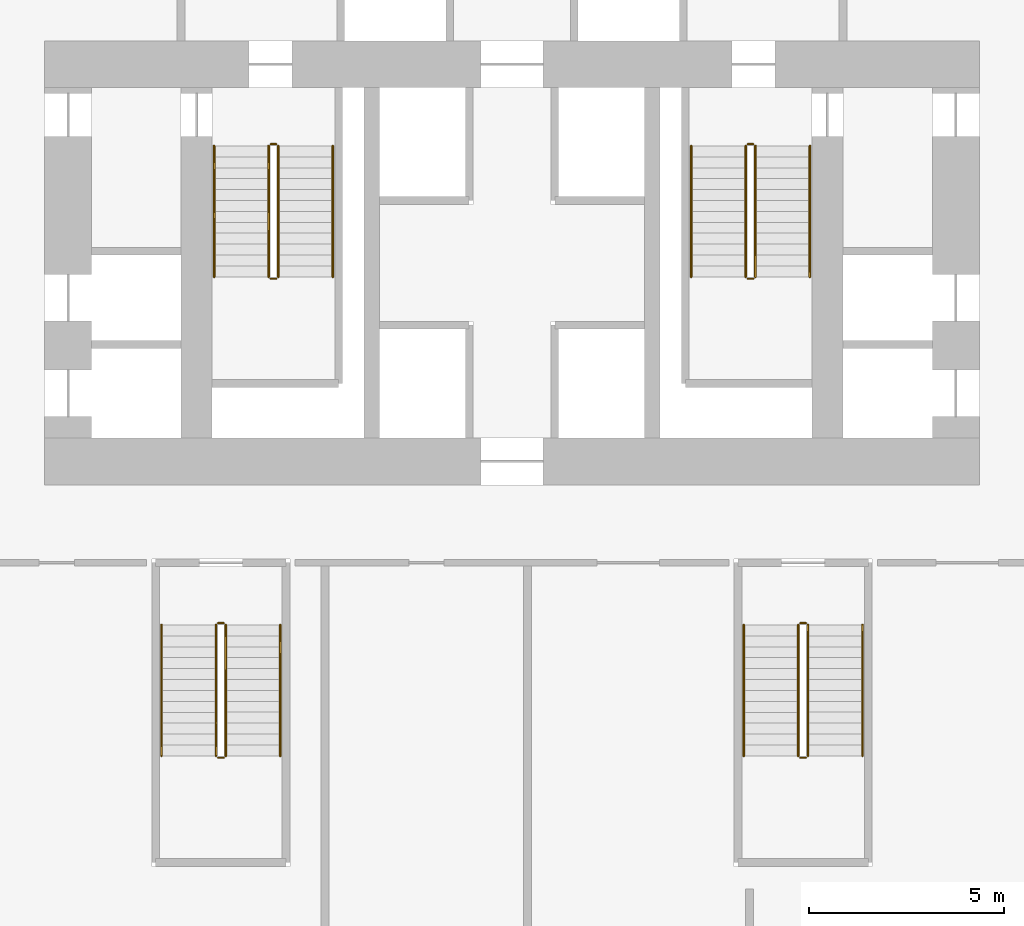
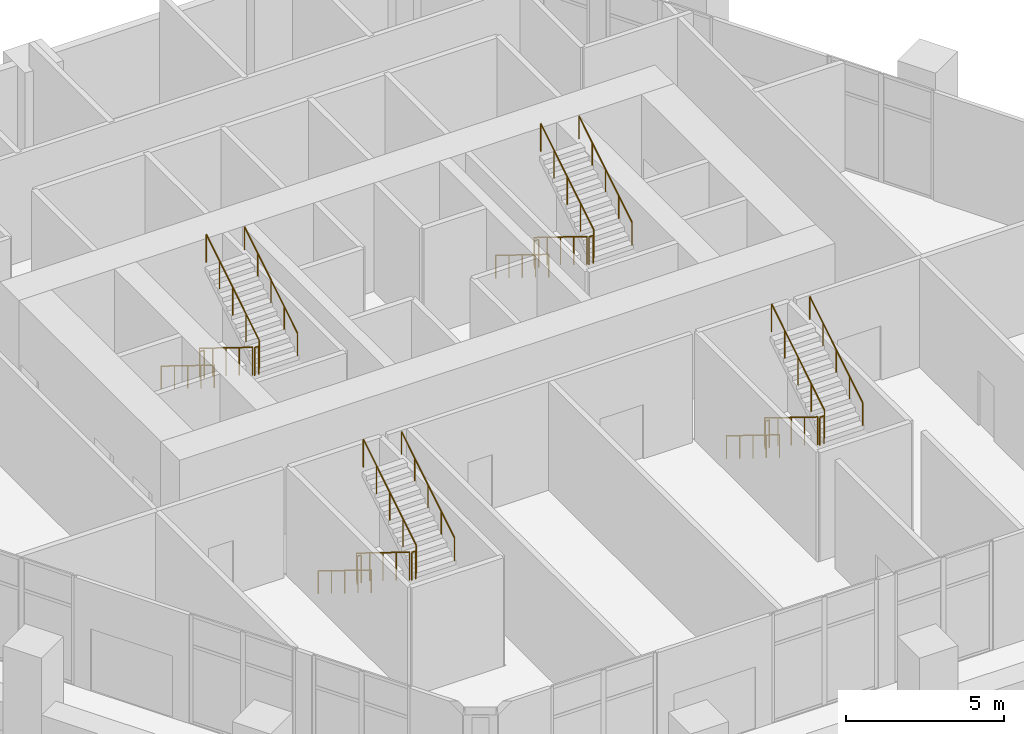
# One storey, part 18 of 18: 24 railings.
"""IFC4 building model written with IfcOpenShell, lengths in metres."""

from ifc_helpers import new_model, si_unit, direction, frame, origin, origin_2d, place, context, subcontext, project, spatial, circle, extrude, material, type_object, element, save


model = new_model("IFC4")

# Units and contexts
model_context = context("Model", 3, precision=1e-05, world=origin(), true_north=direction((0.0, 1.0)))
body_context = subcontext(model_context, "Body", "Model", "MODEL_VIEW")
ifc_project = project(units=[si_unit("LENGTHUNIT", "METRE"), si_unit("AREAUNIT", "SQUARE_METRE"), si_unit("VOLUMEUNIT", "CUBIC_METRE"), si_unit("PLANEANGLEUNIT", "RADIAN"), si_unit("MASSUNIT", "GRAM", prefix="KILO")], contexts=[model_context])

# Site, building, storey
site_placement = place(None, origin())
site = spatial("IfcSite", under=ifc_project, at=site_placement, CompositionType="ELEMENT")
building_placement = place(site_placement, origin())
building = spatial("IfcBuilding", under=site, at=building_placement, Name="Ostrander Bayou Hotel Tower", CompositionType="ELEMENT")
storey_placement = place(building_placement, frame((0.0, 0.0, 19.0)))
storey = spatial("IfcBuildingStorey", under=building, at=storey_placement, Name="L04", CompositionType="ELEMENT", Elevation=19.0)

# Railings
ifc_material_1 = material(Name="Steel ASTM A500 Gr C", Category="steel")
railing_type_1 = type_object("IfcRailingType", Name="GR1 stair guard 1100 mm steel", PredefinedType="GUARDRAIL", material=ifc_material_1)
railing_1_placement = place(storey_placement, frame((-6.25, 7.0, 0.173095703125)))
element("IfcRailing", 1, at=railing_1_placement, inside=storey, type_object=railing_type_1, Name="L04 STA stair guard 1", PredefinedType="GUARDRAIL", context=body_context, shape_type="SweptSolid", body=[
    extrude(circle(Radius=0.02392578125, at=origin_2d()), frame((0.0, 0.0, 1.076171875), z_axis=(0.0, -0.850623216509, 0.525775754039), x_axis=(1.0, 0.0, 0.0)), (0.0, 0.0, 1.0), 3.9501953125),
    extrude(circle(Radius=0.02099609375, at=origin_2d()), origin(), (0.0, 0.0, 1.0), 1.052001953125),
    extrude(circle(Radius=0.02099609375, at=origin_2d()), frame((0.0, -0.840087890625, 0.519287109375)), (0.0, 0.0, 1.0), 1.052001953125),
    extrude(circle(Radius=0.02099609375, at=origin_2d()), frame((0.0, -1.68017578125, 1.03857421875)), (0.0, 0.0, 1.0), 1.052001953125),
    extrude(circle(Radius=0.02099609375, at=origin_2d()), frame((0.0, -2.52001953125, 1.5576171875)), (0.0, 0.0, 1.0), 1.052001953125),
    extrude(circle(Radius=0.02099609375, at=origin_2d()), frame((0.0, -3.360107421875, 2.076904296875)), (0.0, 0.0, 1.0), 1.052001953125),
])
railing_2_placement = place(storey_placement, frame((-6.199951171875, 3.590087890625, 2.25)))
element("IfcRailing", 2, at=railing_2_placement, inside=storey, type_object=railing_type_1, Name="L04 STA stair guard 2", PredefinedType="GUARDRAIL", context=body_context, shape_type="SweptSolid", body=[
    extrude(circle(Radius=0.02392578125, at=origin_2d()), frame((0.0, 0.0, 1.076171875), z_axis=(1.0, 0.0, 0.0), x_axis=(0.0, 1.0, 0.0)), (0.0, 0.0, 1.0), 0.14990234375),
    extrude(circle(Radius=0.02099609375, at=origin_2d()), origin(), (0.0, 0.0, 1.0), 1.052001953125),
    extrude(circle(Radius=0.02099609375, at=origin_2d()), frame((0.14990234375, 0.0, 0.0)), (0.0, 0.0, 1.0), 1.052001953125),
])
railing_3_placement = place(storey_placement, frame((-6.0, 3.639892578125, 2.423095703125)))
element("IfcRailing", 3, at=railing_3_placement, inside=storey, type_object=railing_type_1, Name="L04 STA stair guard 3", PredefinedType="GUARDRAIL", context=body_context, shape_type="SweptSolid", body=[
    extrude(circle(Radius=0.02392578125, at=origin_2d()), frame((0.0, 0.0, 1.076171875), z_axis=(0.0, 0.850623216509, 0.525775754039), x_axis=(-1.0, 0.0, 0.0)), (0.0, 0.0, 1.0), 3.9501953125),
    extrude(circle(Radius=0.02099609375, at=origin_2d()), origin(), (0.0, 0.0, 1.0), 1.052001953125),
    extrude(circle(Radius=0.02099609375, at=origin_2d()), frame((0.0, 0.840087890625, 0.519287109375)), (0.0, 0.0, 1.0), 1.052001953125),
    extrude(circle(Radius=0.02099609375, at=origin_2d()), frame((0.0, 1.68017578125, 1.03857421875)), (0.0, 0.0, 1.0), 1.052001953125),
    extrude(circle(Radius=0.02099609375, at=origin_2d()), frame((0.0, 2.52001953125, 1.5576171875)), (0.0, 0.0, 1.0), 1.052001953125),
    extrude(circle(Radius=0.02099609375, at=origin_2d()), frame((0.0, 3.360107421875, 2.076904296875)), (0.0, 0.0, 1.0), 1.052001953125),
])
railing_4_placement = place(storey_placement, frame((-6.199951171875, 7.050048828125, 0.0)))
element("IfcRailing", 4, at=railing_4_placement, inside=storey, type_object=railing_type_1, Name="L04 STA stair guard 4", PredefinedType="GUARDRAIL", context=body_context, shape_type="SweptSolid", body=[
    extrude(circle(Radius=0.02392578125, at=origin_2d()), frame((0.0, 0.0, 1.076171875), z_axis=(1.0, 0.0, 0.0), x_axis=(0.0, 1.0, 0.0)), (0.0, 0.0, 1.0), 0.14990234375),
    extrude(circle(Radius=0.02099609375, at=origin_2d()), origin(), (0.0, 0.0, 1.0), 1.052001953125),
    extrude(circle(Radius=0.02099609375, at=origin_2d()), frame((0.14990234375, 0.0, 0.0)), (0.0, 0.0, 1.0), 1.052001953125),
])
railing_5_placement = place(storey_placement, frame((6.0, 7.0, 0.173095703125)))
element("IfcRailing", 5, at=railing_5_placement, inside=storey, type_object=railing_type_1, Name="L04 STB stair guard 1", PredefinedType="GUARDRAIL", context=body_context, shape_type="SweptSolid", body=[
    extrude(circle(Radius=0.02392578125, at=origin_2d()), frame((0.0, 0.0, 1.076171875), z_axis=(0.0, -0.850623216509, 0.525775754039), x_axis=(1.0, 0.0, 0.0)), (0.0, 0.0, 1.0), 3.9501953125),
    extrude(circle(Radius=0.02099609375, at=origin_2d()), origin(), (0.0, 0.0, 1.0), 1.052001953125),
    extrude(circle(Radius=0.02099609375, at=origin_2d()), frame((0.0, -0.840087890625, 0.519287109375)), (0.0, 0.0, 1.0), 1.052001953125),
    extrude(circle(Radius=0.02099609375, at=origin_2d()), frame((0.0, -1.68017578125, 1.03857421875)), (0.0, 0.0, 1.0), 1.052001953125),
    extrude(circle(Radius=0.02099609375, at=origin_2d()), frame((0.0, -2.52001953125, 1.5576171875)), (0.0, 0.0, 1.0), 1.052001953125),
    extrude(circle(Radius=0.02099609375, at=origin_2d()), frame((0.0, -3.360107421875, 2.076904296875)), (0.0, 0.0, 1.0), 1.052001953125),
])
railing_6_placement = place(storey_placement, frame((6.050048828125, 3.590087890625, 2.25)))
element("IfcRailing", 6, at=railing_6_placement, inside=storey, type_object=railing_type_1, Name="L04 STB stair guard 2", PredefinedType="GUARDRAIL", context=body_context, shape_type="SweptSolid", body=[
    extrude(circle(Radius=0.02392578125, at=origin_2d()), frame((0.0, 0.0, 1.076171875), z_axis=(1.0, 0.0, 0.0), x_axis=(0.0, 1.0, 0.0)), (0.0, 0.0, 1.0), 0.14990234375),
    extrude(circle(Radius=0.02099609375, at=origin_2d()), origin(), (0.0, 0.0, 1.0), 1.052001953125),
    extrude(circle(Radius=0.02099609375, at=origin_2d()), frame((0.14990234375, 0.0, 0.0)), (0.0, 0.0, 1.0), 1.052001953125),
])
railing_7_placement = place(storey_placement, frame((6.25, 3.639892578125, 2.423095703125)))
element("IfcRailing", 7, at=railing_7_placement, inside=storey, type_object=railing_type_1, Name="L04 STB stair guard 3", PredefinedType="GUARDRAIL", context=body_context, shape_type="SweptSolid", body=[
    extrude(circle(Radius=0.02392578125, at=origin_2d()), frame((0.0, 0.0, 1.076171875), z_axis=(0.0, 0.850623216509, 0.525775754039), x_axis=(-1.0, 0.0, 0.0)), (0.0, 0.0, 1.0), 3.9501953125),
    extrude(circle(Radius=0.02099609375, at=origin_2d()), origin(), (0.0, 0.0, 1.0), 1.052001953125),
    extrude(circle(Radius=0.02099609375, at=origin_2d()), frame((0.0, 0.840087890625, 0.519287109375)), (0.0, 0.0, 1.0), 1.052001953125),
    extrude(circle(Radius=0.02099609375, at=origin_2d()), frame((0.0, 1.68017578125, 1.03857421875)), (0.0, 0.0, 1.0), 1.052001953125),
    extrude(circle(Radius=0.02099609375, at=origin_2d()), frame((0.0, 2.52001953125, 1.5576171875)), (0.0, 0.0, 1.0), 1.052001953125),
    extrude(circle(Radius=0.02099609375, at=origin_2d()), frame((0.0, 3.360107421875, 2.076904296875)), (0.0, 0.0, 1.0), 1.052001953125),
])
railing_8_placement = place(storey_placement, frame((6.050048828125, 7.050048828125, 0.0)))
element("IfcRailing", 8, at=railing_8_placement, inside=storey, type_object=railing_type_1, Name="L04 STB stair guard 4", PredefinedType="GUARDRAIL", context=body_context, shape_type="SweptSolid", body=[
    extrude(circle(Radius=0.02392578125, at=origin_2d()), frame((0.0, 0.0, 1.076171875), z_axis=(1.0, 0.0, 0.0), x_axis=(0.0, 1.0, 0.0)), (0.0, 0.0, 1.0), 0.14990234375),
    extrude(circle(Radius=0.02099609375, at=origin_2d()), origin(), (0.0, 0.0, 1.0), 1.052001953125),
    extrude(circle(Radius=0.02099609375, at=origin_2d()), frame((0.14990234375, 0.0, 0.0)), (0.0, 0.0, 1.0), 1.052001953125),
])
railing_9_placement = place(storey_placement, frame((7.35009765625, -5.300048828125, 0.173095703125)))
element("IfcRailing", 9, at=railing_9_placement, inside=storey, type_object=railing_type_1, Name="L04 STC stair guard 1", PredefinedType="GUARDRAIL", context=body_context, shape_type="SweptSolid", body=[
    extrude(circle(Radius=0.02392578125, at=origin_2d()), frame((0.0, 0.0, 1.076171875), z_axis=(0.0, -0.850606129759, 0.525803396734), x_axis=(1.0, 0.0, 0.0)), (0.0, 0.0, 1.0), 3.949951171875),
    extrude(circle(Radius=0.02099609375, at=origin_2d()), origin(), (0.0, 0.0, 1.0), 1.052001953125),
    extrude(circle(Radius=0.02099609375, at=origin_2d()), frame((0.0, -0.83984375, 0.519287109375)), (0.0, 0.0, 1.0), 1.052001953125),
    extrude(circle(Radius=0.02099609375, at=origin_2d()), frame((0.0, -1.679931640625, 1.03857421875)), (0.0, 0.0, 1.0), 1.052001953125),
    extrude(circle(Radius=0.02099609375, at=origin_2d()), frame((0.0, -2.52001953125, 1.5576171875)), (0.0, 0.0, 1.0), 1.052001953125),
    extrude(circle(Radius=0.02099609375, at=origin_2d()), frame((0.0, -3.35986328125, 2.076904296875)), (0.0, 0.0, 1.0), 1.052001953125),
])
railing_10_placement = place(storey_placement, frame((7.39990234375, -8.7099609375, 2.25)))
element("IfcRailing", 10, at=railing_10_placement, inside=storey, type_object=railing_type_1, Name="L04 STC stair guard 2", PredefinedType="GUARDRAIL", context=body_context, shape_type="SweptSolid", body=[
    extrude(circle(Radius=0.02392578125, at=origin_2d()), frame((0.0, 0.0, 1.076171875), z_axis=(1.0, 0.0, 0.0), x_axis=(0.0, 1.0, 0.0)), (0.0, 0.0, 1.0), 0.150146484375),
    extrude(circle(Radius=0.02099609375, at=origin_2d()), origin(), (0.0, 0.0, 1.0), 1.052001953125),
    extrude(circle(Radius=0.02099609375, at=origin_2d()), frame((0.150146484375, 0.0, 0.0)), (0.0, 0.0, 1.0), 1.052001953125),
])
railing_11_placement = place(storey_placement, frame((7.60009765625, -8.659912109375, 2.423095703125)))
element("IfcRailing", 11, at=railing_11_placement, inside=storey, type_object=railing_type_1, Name="L04 STC stair guard 3", PredefinedType="GUARDRAIL", context=body_context, shape_type="SweptSolid", body=[
    extrude(circle(Radius=0.02392578125, at=origin_2d()), frame((0.0, 0.0, 1.076171875), z_axis=(0.0, 0.850606129759, 0.525803396734), x_axis=(-1.0, 0.0, 0.0)), (0.0, 0.0, 1.0), 3.949951171875),
    extrude(circle(Radius=0.02099609375, at=origin_2d()), origin(), (0.0, 0.0, 1.0), 1.052001953125),
    extrude(circle(Radius=0.02099609375, at=origin_2d()), frame((0.0, 0.83984375, 0.519287109375)), (0.0, 0.0, 1.0), 1.052001953125),
    extrude(circle(Radius=0.02099609375, at=origin_2d()), frame((0.0, 1.679931640625, 1.03857421875)), (0.0, 0.0, 1.0), 1.052001953125),
    extrude(circle(Radius=0.02099609375, at=origin_2d()), frame((0.0, 2.52001953125, 1.5576171875)), (0.0, 0.0, 1.0), 1.052001953125),
    extrude(circle(Radius=0.02099609375, at=origin_2d()), frame((0.0, 3.35986328125, 2.076904296875)), (0.0, 0.0, 1.0), 1.052001953125),
])
railing_12_placement = place(storey_placement, frame((7.39990234375, -5.25, 0.0)))
element("IfcRailing", 12, at=railing_12_placement, inside=storey, type_object=railing_type_1, Name="L04 STC stair guard 4", PredefinedType="GUARDRAIL", context=body_context, shape_type="SweptSolid", body=[
    extrude(circle(Radius=0.02392578125, at=origin_2d()), frame((0.0, 0.0, 1.076171875), z_axis=(1.0, 0.0, 0.0), x_axis=(0.0, 1.0, 0.0)), (0.0, 0.0, 1.0), 0.150146484375),
    extrude(circle(Radius=0.02099609375, at=origin_2d()), origin(), (0.0, 0.0, 1.0), 1.052001953125),
    extrude(circle(Radius=0.02099609375, at=origin_2d()), frame((0.150146484375, 0.0, 0.0)), (0.0, 0.0, 1.0), 1.052001953125),
])
railing_13_placement = place(storey_placement, frame((-7.60009765625, -5.300048828125, 0.173095703125)))
element("IfcRailing", 13, at=railing_13_placement, inside=storey, type_object=railing_type_1, Name="L04 STD stair guard 1", PredefinedType="GUARDRAIL", context=body_context, shape_type="SweptSolid", body=[
    extrude(circle(Radius=0.02392578125, at=origin_2d()), frame((0.0, 0.0, 1.076171875), z_axis=(0.0, -0.850606129759, 0.525803396734), x_axis=(1.0, 0.0, 0.0)), (0.0, 0.0, 1.0), 3.949951171875),
    extrude(circle(Radius=0.02099609375, at=origin_2d()), origin(), (0.0, 0.0, 1.0), 1.052001953125),
    extrude(circle(Radius=0.02099609375, at=origin_2d()), frame((0.0, -0.83984375, 0.519287109375)), (0.0, 0.0, 1.0), 1.052001953125),
    extrude(circle(Radius=0.02099609375, at=origin_2d()), frame((0.0, -1.679931640625, 1.03857421875)), (0.0, 0.0, 1.0), 1.052001953125),
    extrude(circle(Radius=0.02099609375, at=origin_2d()), frame((0.0, -2.52001953125, 1.5576171875)), (0.0, 0.0, 1.0), 1.052001953125),
    extrude(circle(Radius=0.02099609375, at=origin_2d()), frame((0.0, -3.35986328125, 2.076904296875)), (0.0, 0.0, 1.0), 1.052001953125),
])
railing_14_placement = place(storey_placement, frame((-7.550048828125, -8.7099609375, 2.25)))
element("IfcRailing", 14, at=railing_14_placement, inside=storey, type_object=railing_type_1, Name="L04 STD stair guard 2", PredefinedType="GUARDRAIL", context=body_context, shape_type="SweptSolid", body=[
    extrude(circle(Radius=0.02392578125, at=origin_2d()), frame((0.0, 0.0, 1.076171875), z_axis=(1.0, 0.0, 0.0), x_axis=(0.0, 1.0, 0.0)), (0.0, 0.0, 1.0), 0.150146484375),
    extrude(circle(Radius=0.02099609375, at=origin_2d()), origin(), (0.0, 0.0, 1.0), 1.052001953125),
    extrude(circle(Radius=0.02099609375, at=origin_2d()), frame((0.150146484375, 0.0, 0.0)), (0.0, 0.0, 1.0), 1.052001953125),
])
railing_15_placement = place(storey_placement, frame((-7.35009765625, -8.659912109375, 2.423095703125)))
element("IfcRailing", 15, at=railing_15_placement, inside=storey, type_object=railing_type_1, Name="L04 STD stair guard 3", PredefinedType="GUARDRAIL", context=body_context, shape_type="SweptSolid", body=[
    extrude(circle(Radius=0.02392578125, at=origin_2d()), frame((0.0, 0.0, 1.076171875), z_axis=(0.0, 0.850606129759, 0.525803396734), x_axis=(-1.0, 0.0, 0.0)), (0.0, 0.0, 1.0), 3.949951171875),
    extrude(circle(Radius=0.02099609375, at=origin_2d()), origin(), (0.0, 0.0, 1.0), 1.052001953125),
    extrude(circle(Radius=0.02099609375, at=origin_2d()), frame((0.0, 0.83984375, 0.519287109375)), (0.0, 0.0, 1.0), 1.052001953125),
    extrude(circle(Radius=0.02099609375, at=origin_2d()), frame((0.0, 1.679931640625, 1.03857421875)), (0.0, 0.0, 1.0), 1.052001953125),
    extrude(circle(Radius=0.02099609375, at=origin_2d()), frame((0.0, 2.52001953125, 1.5576171875)), (0.0, 0.0, 1.0), 1.052001953125),
    extrude(circle(Radius=0.02099609375, at=origin_2d()), frame((0.0, 3.35986328125, 2.076904296875)), (0.0, 0.0, 1.0), 1.052001953125),
])
railing_16_placement = place(storey_placement, frame((-7.550048828125, -5.25, 0.0)))
element("IfcRailing", 16, at=railing_16_placement, inside=storey, type_object=railing_type_1, Name="L04 STD stair guard 4", PredefinedType="GUARDRAIL", context=body_context, shape_type="SweptSolid", body=[
    extrude(circle(Radius=0.02392578125, at=origin_2d()), frame((0.0, 0.0, 1.076171875), z_axis=(1.0, 0.0, 0.0), x_axis=(0.0, 1.0, 0.0)), (0.0, 0.0, 1.0), 0.150146484375),
    extrude(circle(Radius=0.02099609375, at=origin_2d()), origin(), (0.0, 0.0, 1.0), 1.052001953125),
    extrude(circle(Radius=0.02099609375, at=origin_2d()), frame((0.150146484375, 0.0, 0.0)), (0.0, 0.0, 1.0), 1.052001953125),
])
ifc_material_2 = material(Name="Steel ASTM A500 Gr C", Category="steel")
railing_type_2 = type_object("IfcRailingType", Name="HR1 stair handrail 900 mm steel", PredefinedType="HANDRAIL", material=ifc_material_2)
railing_17_placement = place(storey_placement, frame((-7.64990234375, 7.0, 0.173095703125)))
element("IfcRailing", 17, at=railing_17_placement, inside=storey, type_object=railing_type_2, Name="L04 STA stair handrail 1", PredefinedType="HANDRAIL", context=body_context, shape_type="SweptSolid", body=[
    extrude(circle(Radius=0.02392578125, at=origin_2d()), frame((0.0, 0.0, 0.8759765625), z_axis=(0.0, -0.850623216509, 0.525775754039), x_axis=(1.0, 0.0, 0.0)), (0.0, 0.0, 1.0), 3.9501953125),
    extrude(circle(Radius=0.02099609375, at=origin_2d()), origin(), (0.0, 0.0, 1.0), 0.851806640625),
    extrude(circle(Radius=0.02099609375, at=origin_2d()), frame((0.0, -0.840087890625, 0.519287109375)), (0.0, 0.0, 1.0), 0.851806640625),
    extrude(circle(Radius=0.02099609375, at=origin_2d()), frame((0.0, -1.68017578125, 1.03857421875)), (0.0, 0.0, 1.0), 0.851806640625),
    extrude(circle(Radius=0.02099609375, at=origin_2d()), frame((0.0, -2.52001953125, 1.5576171875)), (0.0, 0.0, 1.0), 0.851806640625),
    extrude(circle(Radius=0.02099609375, at=origin_2d()), frame((0.0, -3.360107421875, 2.076904296875)), (0.0, 0.0, 1.0), 0.851806640625),
])
railing_18_placement = place(storey_placement, frame((-4.60009765625, 3.639892578125, 2.423095703125)))
element("IfcRailing", 18, at=railing_18_placement, inside=storey, type_object=railing_type_2, Name="L04 STA stair handrail 2", PredefinedType="HANDRAIL", context=body_context, shape_type="SweptSolid", body=[
    extrude(circle(Radius=0.02392578125, at=origin_2d()), frame((0.0, 0.0, 0.8759765625), z_axis=(0.0, 0.850623216509, 0.525775754039), x_axis=(-1.0, 0.0, 0.0)), (0.0, 0.0, 1.0), 3.9501953125),
    extrude(circle(Radius=0.02099609375, at=origin_2d()), origin(), (0.0, 0.0, 1.0), 0.851806640625),
    extrude(circle(Radius=0.02099609375, at=origin_2d()), frame((0.0, 0.840087890625, 0.519287109375)), (0.0, 0.0, 1.0), 0.851806640625),
    extrude(circle(Radius=0.02099609375, at=origin_2d()), frame((0.0, 1.68017578125, 1.03857421875)), (0.0, 0.0, 1.0), 0.851806640625),
    extrude(circle(Radius=0.02099609375, at=origin_2d()), frame((0.0, 2.52001953125, 1.5576171875)), (0.0, 0.0, 1.0), 0.851806640625),
    extrude(circle(Radius=0.02099609375, at=origin_2d()), frame((0.0, 3.360107421875, 2.076904296875)), (0.0, 0.0, 1.0), 0.851806640625),
])
railing_19_placement = place(storey_placement, frame((4.60009765625, 7.0, 0.173095703125)))
element("IfcRailing", 19, at=railing_19_placement, inside=storey, type_object=railing_type_2, Name="L04 STB stair handrail 1", PredefinedType="HANDRAIL", context=body_context, shape_type="SweptSolid", body=[
    extrude(circle(Radius=0.02392578125, at=origin_2d()), frame((0.0, 0.0, 0.8759765625), z_axis=(0.0, -0.850623216509, 0.525775754039), x_axis=(1.0, 0.0, 0.0)), (0.0, 0.0, 1.0), 3.9501953125),
    extrude(circle(Radius=0.02099609375, at=origin_2d()), origin(), (0.0, 0.0, 1.0), 0.851806640625),
    extrude(circle(Radius=0.02099609375, at=origin_2d()), frame((0.0, -0.840087890625, 0.519287109375)), (0.0, 0.0, 1.0), 0.851806640625),
    extrude(circle(Radius=0.02099609375, at=origin_2d()), frame((0.0, -1.68017578125, 1.03857421875)), (0.0, 0.0, 1.0), 0.851806640625),
    extrude(circle(Radius=0.02099609375, at=origin_2d()), frame((0.0, -2.52001953125, 1.5576171875)), (0.0, 0.0, 1.0), 0.851806640625),
    extrude(circle(Radius=0.02099609375, at=origin_2d()), frame((0.0, -3.360107421875, 2.076904296875)), (0.0, 0.0, 1.0), 0.851806640625),
])
railing_20_placement = place(storey_placement, frame((7.64990234375, 3.639892578125, 2.423095703125)))
element("IfcRailing", 20, at=railing_20_placement, inside=storey, type_object=railing_type_2, Name="L04 STB stair handrail 2", PredefinedType="HANDRAIL", context=body_context, shape_type="SweptSolid", body=[
    extrude(circle(Radius=0.02392578125, at=origin_2d()), frame((0.0, 0.0, 0.8759765625), z_axis=(0.0, 0.850623216509, 0.525775754039), x_axis=(-1.0, 0.0, 0.0)), (0.0, 0.0, 1.0), 3.9501953125),
    extrude(circle(Radius=0.02099609375, at=origin_2d()), origin(), (0.0, 0.0, 1.0), 0.851806640625),
    extrude(circle(Radius=0.02099609375, at=origin_2d()), frame((0.0, 0.840087890625, 0.519287109375)), (0.0, 0.0, 1.0), 0.851806640625),
    extrude(circle(Radius=0.02099609375, at=origin_2d()), frame((0.0, 1.68017578125, 1.03857421875)), (0.0, 0.0, 1.0), 0.851806640625),
    extrude(circle(Radius=0.02099609375, at=origin_2d()), frame((0.0, 2.52001953125, 1.5576171875)), (0.0, 0.0, 1.0), 0.851806640625),
    extrude(circle(Radius=0.02099609375, at=origin_2d()), frame((0.0, 3.360107421875, 2.076904296875)), (0.0, 0.0, 1.0), 0.851806640625),
])
railing_21_placement = place(storey_placement, frame((5.949951171875, -5.300048828125, 0.173095703125)))
element("IfcRailing", 21, at=railing_21_placement, inside=storey, type_object=railing_type_2, Name="L04 STC stair handrail 1", PredefinedType="HANDRAIL", context=body_context, shape_type="SweptSolid", body=[
    extrude(circle(Radius=0.02392578125, at=origin_2d()), frame((0.0, 0.0, 0.8759765625), z_axis=(0.0, -0.850606129759, 0.525803396734), x_axis=(1.0, 0.0, 0.0)), (0.0, 0.0, 1.0), 3.949951171875),
    extrude(circle(Radius=0.02099609375, at=origin_2d()), origin(), (0.0, 0.0, 1.0), 0.851806640625),
    extrude(circle(Radius=0.02099609375, at=origin_2d()), frame((0.0, -0.83984375, 0.519287109375)), (0.0, 0.0, 1.0), 0.851806640625),
    extrude(circle(Radius=0.02099609375, at=origin_2d()), frame((0.0, -1.679931640625, 1.03857421875)), (0.0, 0.0, 1.0), 0.851806640625),
    extrude(circle(Radius=0.02099609375, at=origin_2d()), frame((0.0, -2.52001953125, 1.5576171875)), (0.0, 0.0, 1.0), 0.851806640625),
    extrude(circle(Radius=0.02099609375, at=origin_2d()), frame((0.0, -3.35986328125, 2.076904296875)), (0.0, 0.0, 1.0), 0.851806640625),
])
railing_22_placement = place(storey_placement, frame((9.0, -8.659912109375, 2.423095703125)))
element("IfcRailing", 22, at=railing_22_placement, inside=storey, type_object=railing_type_2, Name="L04 STC stair handrail 2", PredefinedType="HANDRAIL", context=body_context, shape_type="SweptSolid", body=[
    extrude(circle(Radius=0.02392578125, at=origin_2d()), frame((0.0, 0.0, 0.8759765625), z_axis=(0.0, 0.850606129759, 0.525803396734), x_axis=(-1.0, 0.0, 0.0)), (0.0, 0.0, 1.0), 3.949951171875),
    extrude(circle(Radius=0.02099609375, at=origin_2d()), origin(), (0.0, 0.0, 1.0), 0.851806640625),
    extrude(circle(Radius=0.02099609375, at=origin_2d()), frame((0.0, 0.83984375, 0.519287109375)), (0.0, 0.0, 1.0), 0.851806640625),
    extrude(circle(Radius=0.02099609375, at=origin_2d()), frame((0.0, 1.679931640625, 1.03857421875)), (0.0, 0.0, 1.0), 0.851806640625),
    extrude(circle(Radius=0.02099609375, at=origin_2d()), frame((0.0, 2.52001953125, 1.5576171875)), (0.0, 0.0, 1.0), 0.851806640625),
    extrude(circle(Radius=0.02099609375, at=origin_2d()), frame((0.0, 3.35986328125, 2.076904296875)), (0.0, 0.0, 1.0), 0.851806640625),
])
railing_23_placement = place(storey_placement, frame((-9.0, -5.300048828125, 0.173095703125)))
element("IfcRailing", 23, at=railing_23_placement, inside=storey, type_object=railing_type_2, Name="L04 STD stair handrail 1", PredefinedType="HANDRAIL", context=body_context, shape_type="SweptSolid", body=[
    extrude(circle(Radius=0.02392578125, at=origin_2d()), frame((0.0, 0.0, 0.8759765625), z_axis=(0.0, -0.850606129759, 0.525803396734), x_axis=(1.0, 0.0, 0.0)), (0.0, 0.0, 1.0), 3.949951171875),
    extrude(circle(Radius=0.02099609375, at=origin_2d()), origin(), (0.0, 0.0, 1.0), 0.851806640625),
    extrude(circle(Radius=0.02099609375, at=origin_2d()), frame((0.0, -0.83984375, 0.519287109375)), (0.0, 0.0, 1.0), 0.851806640625),
    extrude(circle(Radius=0.02099609375, at=origin_2d()), frame((0.0, -1.679931640625, 1.03857421875)), (0.0, 0.0, 1.0), 0.851806640625),
    extrude(circle(Radius=0.02099609375, at=origin_2d()), frame((0.0, -2.52001953125, 1.5576171875)), (0.0, 0.0, 1.0), 0.851806640625),
    extrude(circle(Radius=0.02099609375, at=origin_2d()), frame((0.0, -3.35986328125, 2.076904296875)), (0.0, 0.0, 1.0), 0.851806640625),
])
railing_24_placement = place(storey_placement, frame((-5.949951171875, -8.659912109375, 2.423095703125)))
element("IfcRailing", 24, at=railing_24_placement, inside=storey, type_object=railing_type_2, Name="L04 STD stair handrail 2", PredefinedType="HANDRAIL", context=body_context, shape_type="SweptSolid", body=[
    extrude(circle(Radius=0.02392578125, at=origin_2d()), frame((0.0, 0.0, 0.8759765625), z_axis=(0.0, 0.850606129759, 0.525803396734), x_axis=(-1.0, 0.0, 0.0)), (0.0, 0.0, 1.0), 3.949951171875),
    extrude(circle(Radius=0.02099609375, at=origin_2d()), origin(), (0.0, 0.0, 1.0), 0.851806640625),
    extrude(circle(Radius=0.02099609375, at=origin_2d()), frame((0.0, 0.83984375, 0.519287109375)), (0.0, 0.0, 1.0), 0.851806640625),
    extrude(circle(Radius=0.02099609375, at=origin_2d()), frame((0.0, 1.679931640625, 1.03857421875)), (0.0, 0.0, 1.0), 0.851806640625),
    extrude(circle(Radius=0.02099609375, at=origin_2d()), frame((0.0, 2.52001953125, 1.5576171875)), (0.0, 0.0, 1.0), 0.851806640625),
    extrude(circle(Radius=0.02099609375, at=origin_2d()), frame((0.0, 3.35986328125, 2.076904296875)), (0.0, 0.0, 1.0), 0.851806640625),
])

save(model, "model.ifc")
